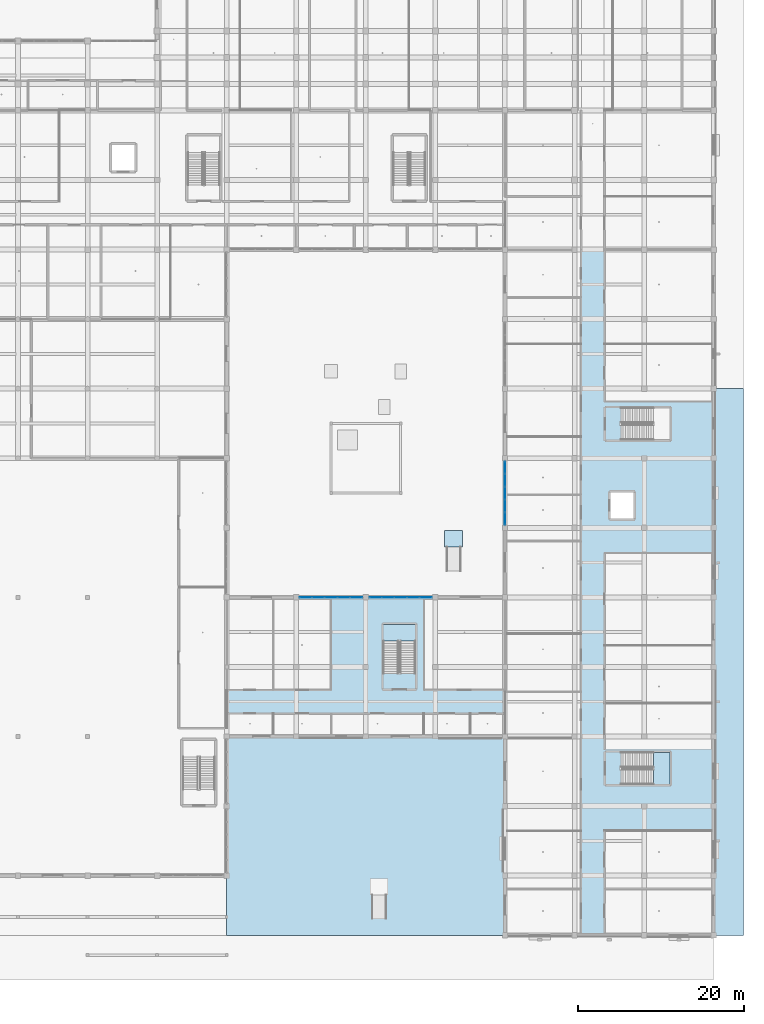
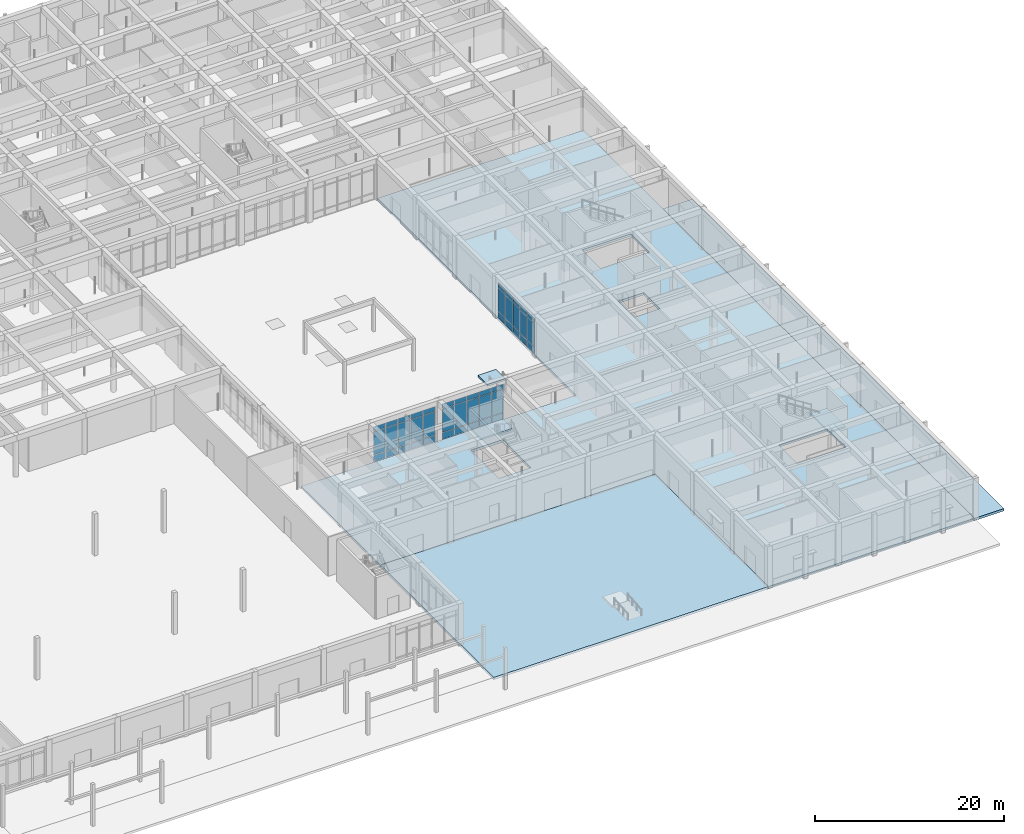
# One storey, part 57 of 167: 45 plates, 6 slabs, 6 elements without a shape of their own.
"""IFC4 building model written with IfcOpenShell, lengths in metres."""

from ifc_helpers import new_model, si_unit, direction, frame, origin, origin_2d, place, context, subcontext, project, spatial, polyline, rectangle, outline, extrude, material, layer, layer_set, type_object, element, aggregate, save


model = new_model("IFC4")

# Units and contexts
model_context = context("Model", 3, precision=1e-05, world=origin(), true_north=direction((0.0, 1.0)))
body_context = subcontext(model_context, "Body", "Model", "MODEL_VIEW")
ifc_project = project(units=[si_unit("LENGTHUNIT", "METRE"), si_unit("AREAUNIT", "SQUARE_METRE"), si_unit("VOLUMEUNIT", "CUBIC_METRE"), si_unit("PLANEANGLEUNIT", "RADIAN"), si_unit("MASSUNIT", "GRAM", prefix="KILO")], contexts=[model_context])

# Site, building, storey
site_placement = place(None, origin())
site = spatial("IfcSite", under=ifc_project, at=site_placement, CompositionType="ELEMENT")
building_placement = place(site_placement, origin())
building = spatial("IfcBuilding", under=site, at=building_placement, Name="Varncliffe General Hospital", CompositionType="ELEMENT")
storey_placement = place(building_placement, origin())
storey = spatial("IfcBuildingStorey", under=building, at=storey_placement, Name="L00", CompositionType="ELEMENT", Elevation=0.0)

# Ramp, slab
ifc_material_1 = material(Name="Concrete C35/45 (CSA A23.1 35 MPa)", Category="concrete")
ramp_type = type_object("IfcRampType", Name="Barrier-Free Pedestrian Access Ramp PR23", PredefinedType="STRAIGHT_RUN_RAMP", material=ifc_material_1)
ramp_placement = place(storey_placement, origin())
ramp = element("IfcRamp", 1, at=ramp_placement, inside=storey, type_object=ramp_type, Name="East Cloister Garden Barrier-Free Ramp", PredefinedType="STRAIGHT_RUN_RAMP")
ifc_layer_1 = layer(ifc_material_1, 0.239990234375)
ifc_layer_set_1 = layer_set([ifc_layer_1], Name="Concrete C35/45 (CSA A23.1 35 MPa)")
slab_type_1 = type_object("IfcSlabType", Name="Accessible Threshold Landing Slab PLZ32 (240mm)", PredefinedType="LANDING", material=ifc_layer_set_1)
slab_1_placement = place(storey_placement, origin())
slab_1 = element("IfcSlab", 2, at=slab_1_placement, type_object=slab_type_1, Name="East Cloister Garden Barrier-Free Ramp Top Landing Plinth", PredefinedType="LANDING", context=body_context, shape_type="SweptSolid", body=[
    extrude(outline(polyline([(143.89990234375, 46.8798828125), (146.10009765625, 46.8798828125), (146.10009765625, 48.8798828125), (143.89990234375, 48.8798828125), (143.89990234375, 46.8798828125)])), origin(), (0.0, 0.0, 1.0), 0.239990234375),
])
aggregate(ramp, [slab_1])

# Curtain wall, plates
ifc_material_2 = material(Name="Triple low-E argon insulated vision glazing", Category="glass")
curtain_wall_type_1 = type_object("IfcCurtainWallType", Name="Unitised Glazed Curtain Wall CW26 (7594x4640)", PredefinedType="USERDEFINED", material=ifc_material_2)
curtain_wall_1_placement = place(storey_placement, origin())
curtain_wall_1 = element("IfcCurtainWall", 3, at=curtain_wall_1_placement, inside=storey, type_object=curtain_wall_type_1, Name="L00 Glazed Curtain Wall CW26-29", ObjectType="GLAZED CURTAIN WALL", PredefinedType="USERDEFINED")
ifc_layer_2 = layer(ifc_material_2, 0.0439453125)
ifc_layer_set_2 = layer_set([ifc_layer_2], Name="Triple low-E argon insulated vision glazing")
plate_type_1 = type_object("IfcPlateType", Name="Curtain Wall Glazing Panel CP12 (44mm)", PredefinedType="CURTAIN_PANEL", material=ifc_layer_set_2)
plate_1_placement = place(storey_placement, frame((135.57861328125, 40.800048828125, 0.06005859375), z_axis=(0.0, 0.0, 1.0), x_axis=(1.0, 0.0, 0.0)))
plate_1 = element("IfcPlate", 4, at=plate_1_placement, type_object=plate_type_1, Name="CW26 panel 1.1", PredefinedType="CURTAIN_PANEL", context=body_context, shape_type="SweptSolid", body=[
    extrude(rectangle(XDim=1.42138671875, YDim=0.0439453125, at=origin_2d()), origin(), (0.0, 0.0, 1.0), 0.81005859375),
])
plate_2_placement = place(storey_placement, frame((135.57861328125, 40.800048828125, 0.929931640625), z_axis=(0.0, 0.0, 1.0), x_axis=(1.0, 0.0, 0.0)))
plate_2 = element("IfcPlate", 5, at=plate_2_placement, type_object=plate_type_1, Name="CW26 panel 1.2", PredefinedType="CURTAIN_PANEL", context=body_context, shape_type="SweptSolid", body=[
    extrude(rectangle(XDim=1.42138671875, YDim=0.0439453125, at=origin_2d()), origin(), (0.0, 0.0, 1.0), 2.97998046875),
])
plate_3_placement = place(storey_placement, frame((135.57861328125, 40.800048828125, 3.9697265625), z_axis=(0.0, 0.0, 1.0), x_axis=(1.0, 0.0, 0.0)))
plate_3 = element("IfcPlate", 6, at=plate_3_placement, type_object=plate_type_1, Name="CW26 panel 1.3", PredefinedType="CURTAIN_PANEL", context=body_context, shape_type="SweptSolid", body=[
    extrude(rectangle(XDim=1.42138671875, YDim=0.0439453125, at=origin_2d()), origin(), (0.0, 0.0, 1.0), 0.610107421875),
])
plate_4_placement = place(storey_placement, frame((137.081298828125, 40.800048828125, 0.06005859375), z_axis=(0.0, 0.0, 1.0), x_axis=(1.0, 0.0, 0.0)))
plate_4 = element("IfcPlate", 7, at=plate_4_placement, type_object=plate_type_1, Name="CW26 panel 2.1", PredefinedType="CURTAIN_PANEL", context=body_context, shape_type="SweptSolid", body=[
    extrude(rectangle(XDim=1.453857421875, YDim=0.0439453125, at=origin_2d()), origin(), (0.0, 0.0, 1.0), 0.81005859375),
])
plate_5_placement = place(storey_placement, frame((137.081298828125, 40.800048828125, 0.929931640625), z_axis=(0.0, 0.0, 1.0), x_axis=(1.0, 0.0, 0.0)))
plate_5 = element("IfcPlate", 8, at=plate_5_placement, type_object=plate_type_1, Name="CW26 panel 2.2", PredefinedType="CURTAIN_PANEL", context=body_context, shape_type="SweptSolid", body=[
    extrude(rectangle(XDim=1.453857421875, YDim=0.0439453125, at=origin_2d()), origin(), (0.0, 0.0, 1.0), 2.97998046875),
])
plate_6_placement = place(storey_placement, frame((137.081298828125, 40.800048828125, 3.9697265625), z_axis=(0.0, 0.0, 1.0), x_axis=(1.0, 0.0, 0.0)))
plate_6 = element("IfcPlate", 9, at=plate_6_placement, type_object=plate_type_1, Name="CW26 panel 2.3", PredefinedType="CURTAIN_PANEL", context=body_context, shape_type="SweptSolid", body=[
    extrude(rectangle(XDim=1.453857421875, YDim=0.0439453125, at=origin_2d()), origin(), (0.0, 0.0, 1.0), 0.610107421875),
])
plate_7_placement = place(storey_placement, frame((138.60009765625, 40.800048828125, 0.06005859375), z_axis=(0.0, 0.0, 1.0), x_axis=(1.0, 0.0, 0.0)))
plate_7 = element("IfcPlate", 10, at=plate_7_placement, type_object=plate_type_1, Name="CW26 panel 3.1", PredefinedType="CURTAIN_PANEL", context=body_context, shape_type="SweptSolid", body=[
    extrude(rectangle(XDim=1.453857421875, YDim=0.0439453125, at=origin_2d()), origin(), (0.0, 0.0, 1.0), 0.81005859375),
])
plate_8_placement = place(storey_placement, frame((138.60009765625, 40.800048828125, 0.929931640625), z_axis=(0.0, 0.0, 1.0), x_axis=(1.0, 0.0, 0.0)))
plate_8 = element("IfcPlate", 11, at=plate_8_placement, type_object=plate_type_1, Name="CW26 panel 3.2", PredefinedType="CURTAIN_PANEL", context=body_context, shape_type="SweptSolid", body=[
    extrude(rectangle(XDim=1.453857421875, YDim=0.0439453125, at=origin_2d()), origin(), (0.0, 0.0, 1.0), 2.97998046875),
])
plate_9_placement = place(storey_placement, frame((138.60009765625, 40.800048828125, 3.9697265625), z_axis=(0.0, 0.0, 1.0), x_axis=(1.0, 0.0, 0.0)))
plate_9 = element("IfcPlate", 12, at=plate_9_placement, type_object=plate_type_1, Name="CW26 panel 3.3", PredefinedType="CURTAIN_PANEL", context=body_context, shape_type="SweptSolid", body=[
    extrude(rectangle(XDim=1.453857421875, YDim=0.0439453125, at=origin_2d()), origin(), (0.0, 0.0, 1.0), 0.610107421875),
])
plate_10_placement = place(storey_placement, frame((140.118896484375, 40.800048828125, 0.06005859375), z_axis=(0.0, 0.0, 1.0), x_axis=(1.0, 0.0, 0.0)))
plate_10 = element("IfcPlate", 13, at=plate_10_placement, type_object=plate_type_1, Name="CW26 panel 4.1", PredefinedType="CURTAIN_PANEL", context=body_context, shape_type="SweptSolid", body=[
    extrude(rectangle(XDim=1.453857421875, YDim=0.0439453125, at=origin_2d()), origin(), (0.0, 0.0, 1.0), 0.81005859375),
])
plate_11_placement = place(storey_placement, frame((140.118896484375, 40.800048828125, 0.929931640625), z_axis=(0.0, 0.0, 1.0), x_axis=(1.0, 0.0, 0.0)))
plate_11 = element("IfcPlate", 14, at=plate_11_placement, type_object=plate_type_1, Name="CW26 panel 4.2", PredefinedType="CURTAIN_PANEL", context=body_context, shape_type="SweptSolid", body=[
    extrude(rectangle(XDim=1.453857421875, YDim=0.0439453125, at=origin_2d()), origin(), (0.0, 0.0, 1.0), 2.97998046875),
])
plate_12_placement = place(storey_placement, frame((140.118896484375, 40.800048828125, 3.9697265625), z_axis=(0.0, 0.0, 1.0), x_axis=(1.0, 0.0, 0.0)))
plate_12 = element("IfcPlate", 15, at=plate_12_placement, type_object=plate_type_1, Name="CW26 panel 4.3", PredefinedType="CURTAIN_PANEL", context=body_context, shape_type="SweptSolid", body=[
    extrude(rectangle(XDim=1.453857421875, YDim=0.0439453125, at=origin_2d()), origin(), (0.0, 0.0, 1.0), 0.610107421875),
])
plate_13_placement = place(storey_placement, frame((141.621337890625, 40.800048828125, 0.06005859375), z_axis=(0.0, 0.0, 1.0), x_axis=(1.0, 0.0, 0.0)))
plate_13 = element("IfcPlate", 16, at=plate_13_placement, type_object=plate_type_1, Name="CW26 panel 5.1", PredefinedType="CURTAIN_PANEL", context=body_context, shape_type="SweptSolid", body=[
    extrude(rectangle(XDim=1.42138671875, YDim=0.0439453125, at=origin_2d()), origin(), (0.0, 0.0, 1.0), 0.81005859375),
])
plate_14_placement = place(storey_placement, frame((141.621337890625, 40.800048828125, 0.929931640625), z_axis=(0.0, 0.0, 1.0), x_axis=(1.0, 0.0, 0.0)))
plate_14 = element("IfcPlate", 17, at=plate_14_placement, type_object=plate_type_1, Name="CW26 panel 5.2", PredefinedType="CURTAIN_PANEL", context=body_context, shape_type="SweptSolid", body=[
    extrude(rectangle(XDim=1.42138671875, YDim=0.0439453125, at=origin_2d()), origin(), (0.0, 0.0, 1.0), 2.97998046875),
])
plate_15_placement = place(storey_placement, frame((141.621337890625, 40.800048828125, 3.9697265625), z_axis=(0.0, 0.0, 1.0), x_axis=(1.0, 0.0, 0.0)))
plate_15 = element("IfcPlate", 18, at=plate_15_placement, type_object=plate_type_1, Name="CW26 panel 5.3", PredefinedType="CURTAIN_PANEL", context=body_context, shape_type="SweptSolid", body=[
    extrude(rectangle(XDim=1.42138671875, YDim=0.0439453125, at=origin_2d()), origin(), (0.0, 0.0, 1.0), 0.610107421875),
])
aggregate(curtain_wall_1, [plate_1, plate_2, plate_3, plate_4, plate_5, plate_6, plate_7, plate_8, plate_9, plate_10, plate_11, plate_12, plate_13, plate_14, plate_15])

curtain_wall_type_2 = type_object("IfcCurtainWallType", Name="Unitised Glazed Curtain Wall CW15 (7674x4640)", PredefinedType="USERDEFINED", material=ifc_material_2)
curtain_wall_2_placement = place(storey_placement, origin())
curtain_wall_2 = element("IfcCurtainWall", 19, at=curtain_wall_2_placement, inside=storey, type_object=curtain_wall_type_2, Name="L00 Glazed Curtain Wall CW15-28", ObjectType="GLAZED CURTAIN WALL", PredefinedType="USERDEFINED")
ifc_layer_3 = layer(ifc_material_2, 0.035888671875)
ifc_layer_set_3 = layer_set([ifc_layer_3], Name="Triple low-E argon insulated vision glazing")
plate_type_2 = type_object("IfcPlateType", Name="Curtain Wall Glazing Panel CP27 (36mm)", PredefinedType="CURTAIN_PANEL", material=ifc_layer_set_3)
plate_16_placement = place(storey_placement, frame((127.149169921875, 40.800048828125, 0.06005859375), z_axis=(0.0, 0.0, 1.0), x_axis=(1.0, 0.0, 0.0)))
plate_16 = element("IfcPlate", 20, at=plate_16_placement, type_object=plate_type_2, Name="CW15 panel 1.1", PredefinedType="CURTAIN_PANEL", context=body_context, shape_type="SweptSolid", body=[
    extrude(rectangle(XDim=1.42236328125, YDim=0.035888671875, at=origin_2d()), origin(), (0.0, 0.0, 1.0), 0.81005859375),
])
plate_17_placement = place(storey_placement, frame((127.149169921875, 40.800048828125, 0.929931640625), z_axis=(0.0, 0.0, 1.0), x_axis=(1.0, 0.0, 0.0)))
plate_17 = element("IfcPlate", 21, at=plate_17_placement, type_object=plate_type_2, Name="CW15 panel 1.2", PredefinedType="CURTAIN_PANEL", context=body_context, shape_type="SweptSolid", body=[
    extrude(rectangle(XDim=1.42236328125, YDim=0.035888671875, at=origin_2d()), origin(), (0.0, 0.0, 1.0), 2.97998046875),
])
plate_18_placement = place(storey_placement, frame((127.149169921875, 40.800048828125, 3.9697265625), z_axis=(0.0, 0.0, 1.0), x_axis=(1.0, 0.0, 0.0)))
plate_18 = element("IfcPlate", 22, at=plate_18_placement, type_object=plate_type_2, Name="CW15 panel 1.3", PredefinedType="CURTAIN_PANEL", context=body_context, shape_type="SweptSolid", body=[
    extrude(rectangle(XDim=1.42236328125, YDim=0.035888671875, at=origin_2d()), origin(), (0.0, 0.0, 1.0), 0.610107421875),
])
plate_19_placement = place(storey_placement, frame((128.665283203125, 40.800048828125, 0.06005859375), z_axis=(0.0, 0.0, 1.0), x_axis=(1.0, 0.0, 0.0)))
plate_19 = element("IfcPlate", 23, at=plate_19_placement, type_object=plate_type_2, Name="CW15 panel 2.1", PredefinedType="CURTAIN_PANEL", context=body_context, shape_type="SweptSolid", body=[
    extrude(rectangle(XDim=1.459716796875, YDim=0.035888671875, at=origin_2d()), origin(), (0.0, 0.0, 1.0), 0.81005859375),
])
plate_20_placement = place(storey_placement, frame((128.665283203125, 40.800048828125, 0.929931640625), z_axis=(0.0, 0.0, 1.0), x_axis=(1.0, 0.0, 0.0)))
plate_20 = element("IfcPlate", 24, at=plate_20_placement, type_object=plate_type_2, Name="CW15 panel 2.2", PredefinedType="CURTAIN_PANEL", context=body_context, shape_type="SweptSolid", body=[
    extrude(rectangle(XDim=1.459716796875, YDim=0.035888671875, at=origin_2d()), origin(), (0.0, 0.0, 1.0), 2.97998046875),
])
plate_21_placement = place(storey_placement, frame((128.665283203125, 40.800048828125, 3.9697265625), z_axis=(0.0, 0.0, 1.0), x_axis=(1.0, 0.0, 0.0)))
plate_21 = element("IfcPlate", 25, at=plate_21_placement, type_object=plate_type_2, Name="CW15 panel 2.3", PredefinedType="CURTAIN_PANEL", context=body_context, shape_type="SweptSolid", body=[
    extrude(rectangle(XDim=1.459716796875, YDim=0.035888671875, at=origin_2d()), origin(), (0.0, 0.0, 1.0), 0.610107421875),
])
plate_22_placement = place(storey_placement, frame((130.199951171875, 40.800048828125, 0.06005859375), z_axis=(0.0, 0.0, 1.0), x_axis=(1.0, 0.0, 0.0)))
plate_22 = element("IfcPlate", 26, at=plate_22_placement, type_object=plate_type_2, Name="CW15 panel 3.1", PredefinedType="CURTAIN_PANEL", context=body_context, shape_type="SweptSolid", body=[
    extrude(rectangle(XDim=1.459716796875, YDim=0.035888671875, at=origin_2d()), origin(), (0.0, 0.0, 1.0), 0.81005859375),
])
plate_23_placement = place(storey_placement, frame((130.199951171875, 40.800048828125, 0.929931640625), z_axis=(0.0, 0.0, 1.0), x_axis=(1.0, 0.0, 0.0)))
plate_23 = element("IfcPlate", 27, at=plate_23_placement, type_object=plate_type_2, Name="CW15 panel 3.2", PredefinedType="CURTAIN_PANEL", context=body_context, shape_type="SweptSolid", body=[
    extrude(rectangle(XDim=1.459716796875, YDim=0.035888671875, at=origin_2d()), origin(), (0.0, 0.0, 1.0), 2.97998046875),
])
plate_24_placement = place(storey_placement, frame((130.199951171875, 40.800048828125, 3.9697265625), z_axis=(0.0, 0.0, 1.0), x_axis=(1.0, 0.0, 0.0)))
plate_24 = element("IfcPlate", 28, at=plate_24_placement, type_object=plate_type_2, Name="CW15 panel 3.3", PredefinedType="CURTAIN_PANEL", context=body_context, shape_type="SweptSolid", body=[
    extrude(rectangle(XDim=1.459716796875, YDim=0.035888671875, at=origin_2d()), origin(), (0.0, 0.0, 1.0), 0.610107421875),
])
plate_25_placement = place(storey_placement, frame((131.73486328125, 40.800048828125, 0.06005859375), z_axis=(0.0, 0.0, 1.0), x_axis=(1.0, 0.0, 0.0)))
plate_25 = element("IfcPlate", 29, at=plate_25_placement, type_object=plate_type_2, Name="CW15 panel 4.1", PredefinedType="CURTAIN_PANEL", context=body_context, shape_type="SweptSolid", body=[
    extrude(rectangle(XDim=1.459716796875, YDim=0.035888671875, at=origin_2d()), origin(), (0.0, 0.0, 1.0), 0.81005859375),
])
plate_26_placement = place(storey_placement, frame((131.73486328125, 40.800048828125, 0.929931640625), z_axis=(0.0, 0.0, 1.0), x_axis=(1.0, 0.0, 0.0)))
plate_26 = element("IfcPlate", 30, at=plate_26_placement, type_object=plate_type_2, Name="CW15 panel 4.2", PredefinedType="CURTAIN_PANEL", context=body_context, shape_type="SweptSolid", body=[
    extrude(rectangle(XDim=1.459716796875, YDim=0.035888671875, at=origin_2d()), origin(), (0.0, 0.0, 1.0), 2.97998046875),
])
plate_27_placement = place(storey_placement, frame((131.73486328125, 40.800048828125, 3.9697265625), z_axis=(0.0, 0.0, 1.0), x_axis=(1.0, 0.0, 0.0)))
plate_27 = element("IfcPlate", 31, at=plate_27_placement, type_object=plate_type_2, Name="CW15 panel 4.3", PredefinedType="CURTAIN_PANEL", context=body_context, shape_type="SweptSolid", body=[
    extrude(rectangle(XDim=1.459716796875, YDim=0.035888671875, at=origin_2d()), origin(), (0.0, 0.0, 1.0), 0.610107421875),
])
plate_28_placement = place(storey_placement, frame((133.250732421875, 40.800048828125, 0.06005859375), z_axis=(0.0, 0.0, 1.0), x_axis=(1.0, 0.0, 0.0)))
plate_28 = element("IfcPlate", 32, at=plate_28_placement, type_object=plate_type_2, Name="CW15 panel 5.1", PredefinedType="CURTAIN_PANEL", context=body_context, shape_type="SweptSolid", body=[
    extrude(rectangle(XDim=1.42236328125, YDim=0.035888671875, at=origin_2d()), origin(), (0.0, 0.0, 1.0), 0.81005859375),
])
plate_29_placement = place(storey_placement, frame((133.250732421875, 40.800048828125, 0.929931640625), z_axis=(0.0, 0.0, 1.0), x_axis=(1.0, 0.0, 0.0)))
plate_29 = element("IfcPlate", 33, at=plate_29_placement, type_object=plate_type_2, Name="CW15 panel 5.2", PredefinedType="CURTAIN_PANEL", context=body_context, shape_type="SweptSolid", body=[
    extrude(rectangle(XDim=1.42236328125, YDim=0.035888671875, at=origin_2d()), origin(), (0.0, 0.0, 1.0), 2.97998046875),
])
plate_30_placement = place(storey_placement, frame((133.250732421875, 40.800048828125, 3.9697265625), z_axis=(0.0, 0.0, 1.0), x_axis=(1.0, 0.0, 0.0)))
plate_30 = element("IfcPlate", 34, at=plate_30_placement, type_object=plate_type_2, Name="CW15 panel 5.3", PredefinedType="CURTAIN_PANEL", context=body_context, shape_type="SweptSolid", body=[
    extrude(rectangle(XDim=1.42236328125, YDim=0.035888671875, at=origin_2d()), origin(), (0.0, 0.0, 1.0), 0.610107421875),
])
aggregate(curtain_wall_2, [plate_16, plate_17, plate_18, plate_19, plate_20, plate_21, plate_22, plate_23, plate_24, plate_25, plate_26, plate_27, plate_28, plate_29, plate_30])

curtain_wall_type_3 = type_object("IfcCurtainWallType", Name="Unitised Glazed Curtain Wall CW66 (7754x4640)", PredefinedType="USERDEFINED", material=ifc_material_2)
curtain_wall_3_placement = place(storey_placement, origin())
curtain_wall_3 = element("IfcCurtainWall", 35, at=curtain_wall_3_placement, inside=storey, type_object=curtain_wall_type_3, Name="L00 Glazed Curtain Wall CW66-30", ObjectType="GLAZED CURTAIN WALL", PredefinedType="USERDEFINED")
ifc_layer_4 = layer(ifc_material_2, 0.028076171875)
ifc_layer_set_4 = layer_set([ifc_layer_4], Name="Triple low-E argon insulated vision glazing")
plate_type_3 = type_object("IfcPlateType", Name="Curtain Wall Glazing Panel CP48 (28mm)", PredefinedType="CURTAIN_PANEL", material=ifc_layer_set_4)
plate_31_placement = place(storey_placement, frame((151.199951171875, 50.317138671875, 0.06494140625), z_axis=(0.0, 0.0, 1.0), x_axis=(0.0, 1.0, 0.0)))
plate_31 = element("IfcPlate", 36, at=plate_31_placement, type_object=plate_type_3, Name="CW66 panel 1.1", PredefinedType="CURTAIN_PANEL", context=body_context, shape_type="SweptSolid", body=[
    extrude(rectangle(XDim=1.438232421875, YDim=0.028076171875, at=origin_2d()), origin(), (0.0, 0.0, 1.0), 0.802490234375),
])
plate_32_placement = place(storey_placement, frame((151.199951171875, 50.317138671875, 0.932373046875), z_axis=(0.0, 0.0, 1.0), x_axis=(0.0, 1.0, 0.0)))
plate_32 = element("IfcPlate", 37, at=plate_32_placement, type_object=plate_type_3, Name="CW66 panel 1.2", PredefinedType="CURTAIN_PANEL", context=body_context, shape_type="SweptSolid", body=[
    extrude(rectangle(XDim=1.438232421875, YDim=0.028076171875, at=origin_2d()), origin(), (0.0, 0.0, 1.0), 2.97509765625),
])
plate_33_placement = place(storey_placement, frame((151.199951171875, 50.317138671875, 3.972412109375), z_axis=(0.0, 0.0, 1.0), x_axis=(0.0, 1.0, 0.0)))
plate_33 = element("IfcPlate", 38, at=plate_33_placement, type_object=plate_type_3, Name="CW66 panel 1.3", PredefinedType="CURTAIN_PANEL", context=body_context, shape_type="SweptSolid", body=[
    extrude(rectangle(XDim=1.438232421875, YDim=0.028076171875, at=origin_2d()), origin(), (0.0, 0.0, 1.0), 0.6025390625),
])
plate_34_placement = place(storey_placement, frame((151.199951171875, 51.84912109375, 0.06494140625), z_axis=(0.0, 0.0, 1.0), x_axis=(0.0, 1.0, 0.0)))
plate_34 = element("IfcPlate", 39, at=plate_34_placement, type_object=plate_type_3, Name="CW66 panel 2.1", PredefinedType="CURTAIN_PANEL", context=body_context, shape_type="SweptSolid", body=[
    extrude(rectangle(XDim=1.475830078125, YDim=0.028076171875, at=origin_2d()), origin(), (0.0, 0.0, 1.0), 0.802490234375),
])
plate_35_placement = place(storey_placement, frame((151.199951171875, 51.84912109375, 0.932373046875), z_axis=(0.0, 0.0, 1.0), x_axis=(0.0, 1.0, 0.0)))
plate_35 = element("IfcPlate", 40, at=plate_35_placement, type_object=plate_type_3, Name="CW66 panel 2.2", PredefinedType="CURTAIN_PANEL", context=body_context, shape_type="SweptSolid", body=[
    extrude(rectangle(XDim=1.475830078125, YDim=0.028076171875, at=origin_2d()), origin(), (0.0, 0.0, 1.0), 2.97509765625),
])
plate_36_placement = place(storey_placement, frame((151.199951171875, 51.84912109375, 3.972412109375), z_axis=(0.0, 0.0, 1.0), x_axis=(0.0, 1.0, 0.0)))
plate_36 = element("IfcPlate", 41, at=plate_36_placement, type_object=plate_type_3, Name="CW66 panel 2.3", PredefinedType="CURTAIN_PANEL", context=body_context, shape_type="SweptSolid", body=[
    extrude(rectangle(XDim=1.475830078125, YDim=0.028076171875, at=origin_2d()), origin(), (0.0, 0.0, 1.0), 0.6025390625),
])
plate_37_placement = place(storey_placement, frame((151.199951171875, 53.39990234375, 0.06494140625), z_axis=(0.0, 0.0, 1.0), x_axis=(0.0, 1.0, 0.0)))
plate_37 = element("IfcPlate", 42, at=plate_37_placement, type_object=plate_type_3, Name="CW66 panel 3.1", PredefinedType="CURTAIN_PANEL", context=body_context, shape_type="SweptSolid", body=[
    extrude(rectangle(XDim=1.475830078125, YDim=0.028076171875, at=origin_2d()), origin(), (0.0, 0.0, 1.0), 0.802490234375),
])
plate_38_placement = place(storey_placement, frame((151.199951171875, 53.39990234375, 0.932373046875), z_axis=(0.0, 0.0, 1.0), x_axis=(0.0, 1.0, 0.0)))
plate_38 = element("IfcPlate", 43, at=plate_38_placement, type_object=plate_type_3, Name="CW66 panel 3.2", PredefinedType="CURTAIN_PANEL", context=body_context, shape_type="SweptSolid", body=[
    extrude(rectangle(XDim=1.475830078125, YDim=0.028076171875, at=origin_2d()), origin(), (0.0, 0.0, 1.0), 2.97509765625),
])
plate_39_placement = place(storey_placement, frame((151.199951171875, 53.39990234375, 3.972412109375), z_axis=(0.0, 0.0, 1.0), x_axis=(0.0, 1.0, 0.0)))
plate_39 = element("IfcPlate", 44, at=plate_39_placement, type_object=plate_type_3, Name="CW66 panel 3.3", PredefinedType="CURTAIN_PANEL", context=body_context, shape_type="SweptSolid", body=[
    extrude(rectangle(XDim=1.475830078125, YDim=0.028076171875, at=origin_2d()), origin(), (0.0, 0.0, 1.0), 0.6025390625),
])
plate_40_placement = place(storey_placement, frame((151.199951171875, 54.95068359375, 0.06494140625), z_axis=(0.0, 0.0, 1.0), x_axis=(0.0, 1.0, 0.0)))
plate_40 = element("IfcPlate", 45, at=plate_40_placement, type_object=plate_type_3, Name="CW66 panel 4.1", PredefinedType="CURTAIN_PANEL", context=body_context, shape_type="SweptSolid", body=[
    extrude(rectangle(XDim=1.475830078125, YDim=0.028076171875, at=origin_2d()), origin(), (0.0, 0.0, 1.0), 0.802490234375),
])
plate_41_placement = place(storey_placement, frame((151.199951171875, 54.95068359375, 0.932373046875), z_axis=(0.0, 0.0, 1.0), x_axis=(0.0, 1.0, 0.0)))
plate_41 = element("IfcPlate", 46, at=plate_41_placement, type_object=plate_type_3, Name="CW66 panel 4.2", PredefinedType="CURTAIN_PANEL", context=body_context, shape_type="SweptSolid", body=[
    extrude(rectangle(XDim=1.475830078125, YDim=0.028076171875, at=origin_2d()), origin(), (0.0, 0.0, 1.0), 2.97509765625),
])
plate_42_placement = place(storey_placement, frame((151.199951171875, 54.95068359375, 3.972412109375), z_axis=(0.0, 0.0, 1.0), x_axis=(0.0, 1.0, 0.0)))
plate_42 = element("IfcPlate", 47, at=plate_42_placement, type_object=plate_type_3, Name="CW66 panel 4.3", PredefinedType="CURTAIN_PANEL", context=body_context, shape_type="SweptSolid", body=[
    extrude(rectangle(XDim=1.475830078125, YDim=0.028076171875, at=origin_2d()), origin(), (0.0, 0.0, 1.0), 0.6025390625),
])
plate_43_placement = place(storey_placement, frame((151.199951171875, 56.48291015625, 0.06494140625), z_axis=(0.0, 0.0, 1.0), x_axis=(0.0, 1.0, 0.0)))
plate_43 = element("IfcPlate", 48, at=plate_43_placement, type_object=plate_type_3, Name="CW66 panel 5.1", PredefinedType="CURTAIN_PANEL", context=body_context, shape_type="SweptSolid", body=[
    extrude(rectangle(XDim=1.438232421875, YDim=0.028076171875, at=origin_2d()), origin(), (0.0, 0.0, 1.0), 0.802490234375),
])
plate_44_placement = place(storey_placement, frame((151.199951171875, 56.48291015625, 0.932373046875), z_axis=(0.0, 0.0, 1.0), x_axis=(0.0, 1.0, 0.0)))
plate_44 = element("IfcPlate", 49, at=plate_44_placement, type_object=plate_type_3, Name="CW66 panel 5.2", PredefinedType="CURTAIN_PANEL", context=body_context, shape_type="SweptSolid", body=[
    extrude(rectangle(XDim=1.438232421875, YDim=0.028076171875, at=origin_2d()), origin(), (0.0, 0.0, 1.0), 2.97509765625),
])
plate_45_placement = place(storey_placement, frame((151.199951171875, 56.48291015625, 3.972412109375), z_axis=(0.0, 0.0, 1.0), x_axis=(0.0, 1.0, 0.0)))
plate_45 = element("IfcPlate", 50, at=plate_45_placement, type_object=plate_type_3, Name="CW66 panel 5.3", PredefinedType="CURTAIN_PANEL", context=body_context, shape_type="SweptSolid", body=[
    extrude(rectangle(XDim=1.438232421875, YDim=0.028076171875, at=origin_2d()), origin(), (0.0, 0.0, 1.0), 0.6025390625),
])
aggregate(curtain_wall_3, [plate_31, plate_32, plate_33, plate_34, plate_35, plate_36, plate_37, plate_38, plate_39, plate_40, plate_41, plate_42, plate_43, plate_44, plate_45])

# Slabs
ifc_layer_5 = layer(ifc_material_1, 0.31005859375)
ifc_layer_set_5 = layer_set([ifc_layer_5], Name="Concrete C35/45 (CSA A23.1 35 MPa)")
slab_type_2 = type_object("IfcSlabType", Name="Floor Slab SL12 (Int 310mm)", PredefinedType="FLOOR", material=ifc_layer_set_5)
slab_2_placement = place(storey_placement, frame((0.0, 0.0, -0.31005859375)))
element("IfcSlab", 51, at=slab_2_placement, inside=storey, type_object=slab_type_2, Name="L00 V5 Structural Floor Slab 1", PredefinedType="FLOOR", context=body_context, shape_type="SweptSolid", body=[
    extrude(outline(polyline([(117.60009765625, 24.0), (117.60009765625, 40.800048828125), (151.199951171875, 40.800048828125), (151.199951171875, 82.800048828125), (176.39990234375, 82.800048828125), (176.39990234375, 0.0), (151.199951171875, 0.0), (151.199951171875, 24.0), (117.60009765625, 24.0)]), holes=[polyline([(165.199951171875, 59.800048828125), (171.14990234375, 59.800048828125), (171.14990234375, 63.699951171875), (165.199951171875, 63.699951171875), (165.199951171875, 59.800048828125)]), polyline([(165.199951171875, 18.199951171875), (171.14990234375, 18.199951171875), (171.14990234375, 22.10009765625), (165.199951171875, 22.10009765625), (165.199951171875, 18.199951171875)]), polyline([(140.39990234375, 31.60009765625), (140.39990234375, 37.550048828125), (136.5, 37.550048828125), (136.5, 31.60009765625), (140.39990234375, 31.60009765625)]), polyline([(163.800048828125, 50.199951171875), (166.89990234375, 50.199951171875), (166.89990234375, 53.60009765625), (163.800048828125, 53.60009765625), (163.800048828125, 50.199951171875)])]), origin(), (0.0, 0.0, 1.0), 0.31005859375),
])
ifc_layer_6 = layer(ifc_material_1, 0.300048828125)
ifc_layer_set_6 = layer_set([ifc_layer_6], Name="Concrete C35/45 (CSA A23.1 35 MPa)")
slab_type_3 = type_object("IfcSlabType", Name="Floor Slab SL54 (Ext 300mm)", PredefinedType="FLOOR", material=ifc_layer_set_6)
slab_3_placement = place(storey_placement, frame((0.0, 0.0, -0.300048828125)))
element("IfcSlab", 52, at=slab_3_placement, inside=storey, type_object=slab_type_3, Name="L00 South-East Forecourt Arrival Plaza", PredefinedType="FLOOR", context=body_context, shape_type="SweptSolid", body=[
    extrude(outline(polyline([(117.60009765625, 0.0), (151.199951171875, 0.0), (151.199951171875, 24.0), (117.60009765625, 24.0), (117.60009765625, 0.0)])), origin(), (0.0, 0.0, 1.0), 0.300048828125),
])
slab_4_placement = place(storey_placement, frame((0.0, 0.0, -0.300048828125)))
element("IfcSlab", 53, at=slab_4_placement, inside=storey, type_object=slab_type_3, Name="L00 East Cloister South Street Walkway", PredefinedType="FLOOR", context=body_context, shape_type="SweptSolid", body=[
    extrude(outline(polyline([(176.39990234375, 0.0), (180.0, 0.0), (180.0, 66.0), (176.39990234375, 66.0), (176.39990234375, 0.0)])), origin(), (0.0, 0.0, 1.0), 0.300048828125),
])

# Stair, slab
stair_type = type_object("IfcStairType", Name="Hospital Stair Assembly ST-T02 (1850w-5400h)", PredefinedType="TWO_STRAIGHT_RUN_STAIR", material=ifc_material_1)
stair_1_placement = place(storey_placement, origin())
stair_1 = element("IfcStair", 54, at=stair_1_placement, inside=storey, type_object=stair_type, Name="L00 Outpatient South-East Exit Stair 11", PredefinedType="TWO_STRAIGHT_RUN_STAIR")
ifc_layer_7 = layer(ifc_material_1, 0.199951171875)
ifc_layer_set_7 = layer_set([ifc_layer_7], Name="Concrete C35/45 (CSA A23.1 35 MPa)")
slab_type_4 = type_object("IfcSlabType", Name="Reinforced Concrete Stair Landing LND50 (200mm)", PredefinedType="LANDING", material=ifc_layer_set_7)
slab_5_placement = place(storey_placement, frame((0.0, 0.0, 2.5)))
slab_5 = element("IfcSlab", 55, at=slab_5_placement, type_object=slab_type_4, Name="ST11 landing 1", PredefinedType="LANDING", context=body_context, shape_type="SweptSolid", body=[
    extrude(outline(polyline([(169.1201171875, 18.199951171875), (171.14990234375, 18.199951171875), (171.14990234375, 22.10009765625), (169.1201171875, 22.10009765625), (169.1201171875, 18.199951171875)])), origin(), (0.0, 0.0, 1.0), 0.199951171875),
])
aggregate(stair_1, [slab_5])

stair_2_placement = place(storey_placement, origin())
stair_2 = element("IfcStair", 56, at=stair_2_placement, inside=storey, type_object=stair_type, Name="L00 Outpatient Cloister Exit Stair 15", PredefinedType="TWO_STRAIGHT_RUN_STAIR")
slab_6_placement = place(storey_placement, frame((0.0, 0.0, 2.5)))
slab_6 = element("IfcSlab", 57, at=slab_6_placement, type_object=slab_type_4, Name="ST15 landing 1", PredefinedType="LANDING", context=body_context, shape_type="SweptSolid", body=[
    extrude(outline(polyline([(140.39990234375, 35.52001953125), (140.39990234375, 37.550048828125), (136.5, 37.550048828125), (136.5, 35.52001953125), (140.39990234375, 35.52001953125)])), origin(), (0.0, 0.0, 1.0), 0.199951171875),
])
aggregate(stair_2, [slab_6])

save(model, "model.ifc")
